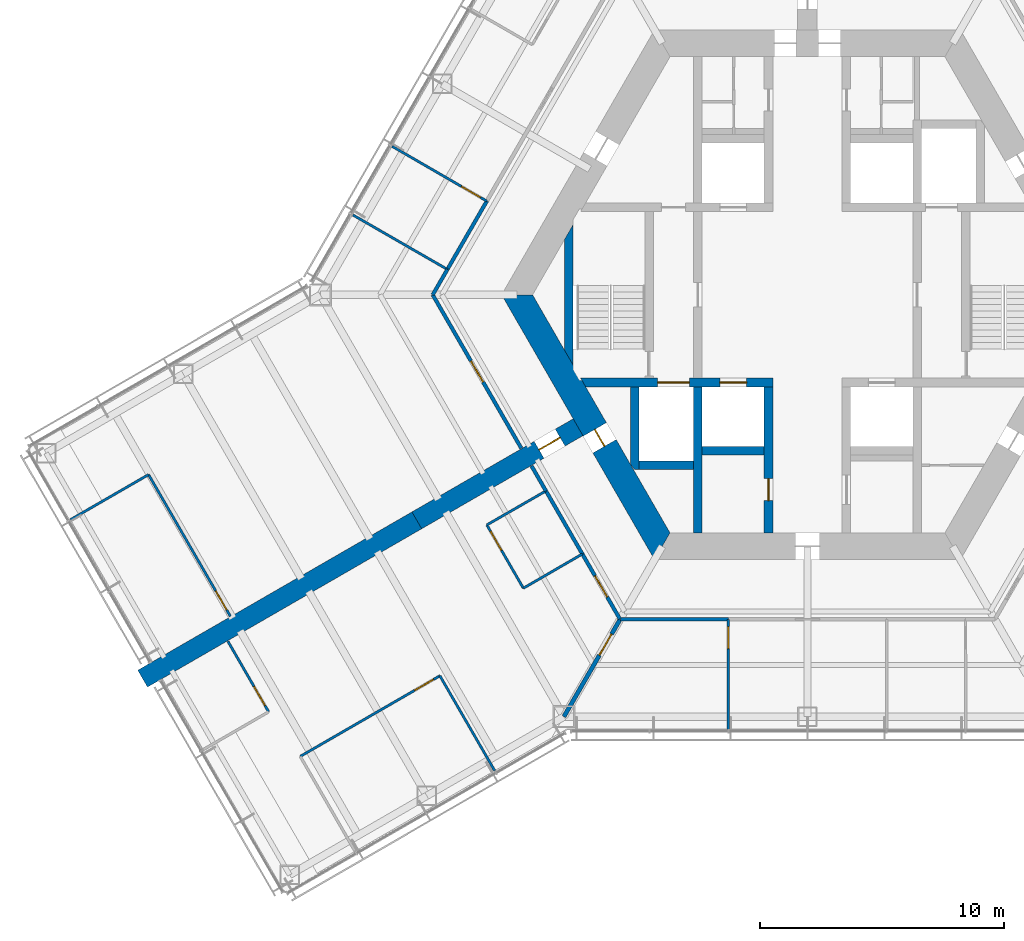
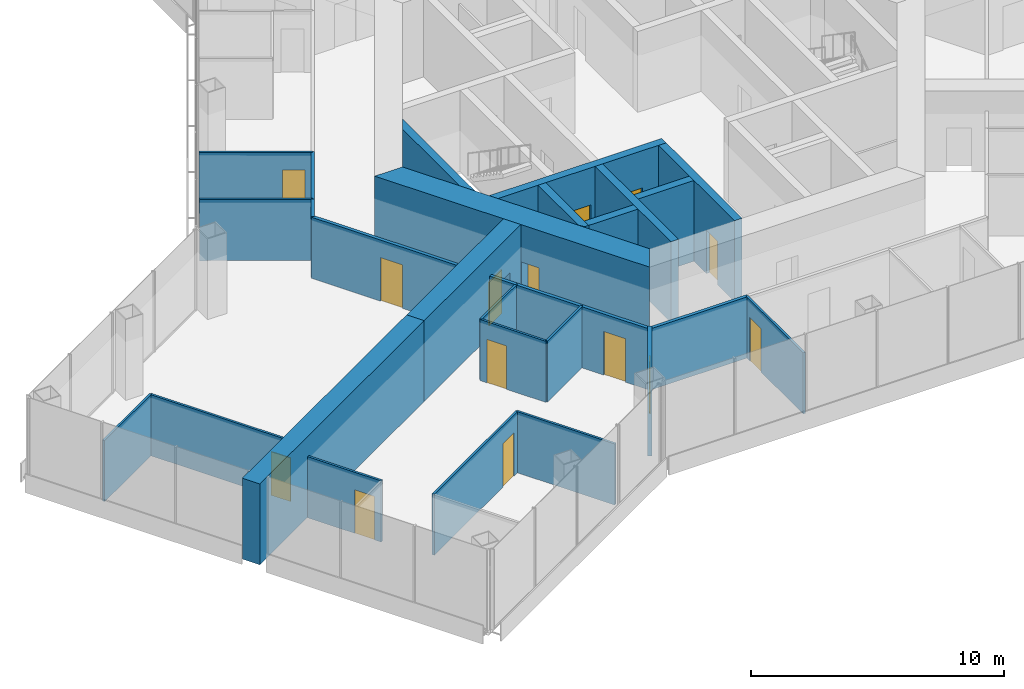
# One storey, part 12 of 19: 29 walls, 14 doors, 14 openings.
"""IFC4 building model written with IfcOpenShell, lengths in metres."""

from ifc_helpers import new_model, si_unit, direction, frame, frame_2d, origin, place, context, subcontext, project, spatial, polyline, rectangle, outline, extrude, material, layer, layer_set, type_object, element, fill, save


model = new_model("IFC4")

# Units and contexts
model_context = context("Model", 3, precision=1e-05, world=origin(), true_north=direction((0.0, 1.0)))
body_context = subcontext(model_context, "Body", "Model", "MODEL_VIEW")
ifc_project = project(units=[si_unit("LENGTHUNIT", "METRE"), si_unit("AREAUNIT", "SQUARE_METRE"), si_unit("VOLUMEUNIT", "CUBIC_METRE"), si_unit("PLANEANGLEUNIT", "RADIAN"), si_unit("MASSUNIT", "GRAM", prefix="KILO")], contexts=[model_context])

# Site, building, storey
site_placement = place(None, origin())
site = spatial("IfcSite", under=ifc_project, at=site_placement, CompositionType="ELEMENT")
building_placement = place(site_placement, origin())
building = spatial("IfcBuilding", under=site, at=building_placement, Name="Kasaneha Research Tower", CompositionType="ELEMENT")
storey_placement = place(building_placement, frame((0.0, 0.0, 84.60009765625)))
storey = spatial("IfcBuildingStorey", under=building, at=storey_placement, Name="L21", CompositionType="ELEMENT", Elevation=84.60009765625)

# Wall, openings, doors
ifc_material_1 = material(Name="Concrete Fc80", Category="concrete")
ifc_layer_1 = layer(ifc_material_1, 0.35009765625)
ifc_layer_set_1 = layer_set([ifc_layer_1], Name="Core internal wall 350 Fc80")
wall_type_1 = type_object("IfcWallType", Name="Core internal wall 350 Fc80", PredefinedType="SHEAR", material=ifc_layer_set_1)
wall_1_placement = place(storey_placement, frame((-9.208740234375, -3.60009765625, 0.0), z_axis=(0.0, 0.0, 1.0), x_axis=(1.0, 0.0, 0.0)))
wall_1 = element("IfcWall", 1, at=wall_1_placement, inside=storey, type_object=wall_type_1, Name="Core wall W2W L21", PredefinedType="SHEAR", context=body_context, shape_type="SweptSolid", body=[
    extrude(outline(polyline([(0.10107421875, -0.175048828125), (3.058837890625, -0.175048828125), (4.35888671875, -0.175048828125), (5.608642578125, -0.175048828125), (6.708740234375, -0.175048828125), (7.78369140625, -0.175048828125), (7.78369140625, 0.175048828125), (6.708740234375, 0.175048828125), (5.608642578125, 0.175048828125), (4.35888671875, 0.175048828125), (3.058837890625, 0.175048828125), (-0.10107421875, 0.175048828125), (0.10107421875, -0.175048828125)])), origin(), (0.0, 0.0, 1.0), 3.89990234375),
])
opening_1_placement = place(wall_1_placement, frame((5.608642578125, 0.0, 0.0)))
opening_1 = element("IfcOpeningElement", 2, at=opening_1_placement, cuts=wall_1, Name="Opening LD-LO2-L21", PredefinedType="OPENING", context=body_context, shape_type="SweptSolid", body=[
    extrude(rectangle(XDim=1.10009765625, YDim=2.10009765625, at=frame_2d((0.550048828125, 1.050048828125))), frame((0.0, 0.18505859375, 0.0), z_axis=(0.0, -1.0, 0.0), x_axis=(1.0, 0.0, 0.0)), (0.0, 0.0, 1.0), 0.3701171875),
])
opening_2_placement = place(wall_1_placement, frame((3.058837890625, 0.0, 0.0)))
opening_2 = element("IfcOpeningElement", 3, at=opening_2_placement, cuts=wall_1, Name="Opening LD-FL2-L21", PredefinedType="OPENING", context=body_context, shape_type="SweptSolid", body=[
    extrude(rectangle(XDim=1.300048828125, YDim=2.10009765625, at=frame_2d((0.64990234375, 1.050048828125))), frame((0.0, 0.18505859375, 0.0), z_axis=(0.0, -1.0, 0.0), x_axis=(1.0, 0.0, 0.0)), (0.0, 0.0, 1.0), 0.3701171875),
])
ifc_material_2 = material(Name="Steel", Category="steel")
door_type_1 = type_object("IfcDoorType", Name="Lift landing door 1100x2100", OperationType="DOUBLE_DOOR_SLIDING", PredefinedType="DOOR", material=ifc_material_2)
door_1_placement = place(opening_1_placement, origin())
door_1 = element("IfcDoor", 4, at=door_1_placement, inside=storey, type_object=door_type_1, Name="Landing door LO2 LD-LO2-L21", OperationType="DOUBLE_DOOR_SLIDING", OverallHeight=2.10009765625, OverallWidth=1.10009765625, PredefinedType="DOOR", context=body_context, shape_type="SweptSolid", body=[
    extrude(rectangle(XDim=1.10009765625, YDim=2.10009765625, at=frame_2d((0.550048828125, 1.050048828125))), frame((0.0, 0.02490234375, 0.0), z_axis=(0.0, -1.0, 0.0), x_axis=(1.0, 0.0, 0.0)), (0.0, 0.0, 1.0), 0.050048828125),
])
fill(opening_1, door_1)
ifc_material_3 = material(Name="Steel", Category="steel")
door_type_2 = type_object("IfcDoorType", Name="Lift landing door 1300x2100", OperationType="DOUBLE_DOOR_SLIDING", PredefinedType="DOOR", material=ifc_material_3)
door_2_placement = place(opening_2_placement, origin())
door_2 = element("IfcDoor", 5, at=door_2_placement, inside=storey, type_object=door_type_2, Name="Landing door FL2 LD-FL2-L21", OperationType="DOUBLE_DOOR_SLIDING", OverallHeight=2.10009765625, OverallWidth=1.300048828125, PredefinedType="DOOR", context=body_context, shape_type="SweptSolid", body=[
    extrude(rectangle(XDim=1.300048828125, YDim=2.10009765625, at=frame_2d((0.64990234375, 1.050048828125))), frame((0.0, 0.02490234375, 0.0), z_axis=(0.0, -1.0, 0.0), x_axis=(1.0, 0.0, 0.0)), (0.0, 0.0, 1.0), 0.050048828125),
])
fill(opening_2, door_2)

# Wall, opening, door
wall_2_placement = place(storey_placement, frame((-1.60009765625, -3.77490234375, 0.0), z_axis=(0.0, 0.0, 1.0), x_axis=(0.0, -1.0, 0.0)))
wall_2 = element("IfcWall", 6, at=wall_2_placement, inside=storey, type_object=wall_type_1, Name="Core wall CSW L21", PredefinedType="SHEAR", context=body_context, shape_type="SweptSolid", body=[
    extrude(rectangle(XDim=6.0, YDim=0.35009765625, at=frame_2d((3.0, 0.0))), origin(), (0.0, 0.0, 1.0), 3.89990234375),
])
opening_3_placement = place(wall_2_placement, frame((3.77490234375, 0.0, 0.0)))
opening_3 = element("IfcOpeningElement", 7, at=opening_3_placement, cuts=wall_2, Name="Opening L21-D16", PredefinedType="OPENING", context=body_context, shape_type="SweptSolid", body=[
    extrude(rectangle(XDim=0.89990234375, YDim=2.10009765625, at=frame_2d((0.449951171875, 1.050048828125))), frame((0.0, 0.18505859375, 0.0), z_axis=(0.0, -1.0, 0.0), x_axis=(1.0, 0.0, 0.0)), (0.0, 0.0, 1.0), 0.3701171875),
])
ifc_material_4 = material(Name="Steel", Category="steel")
door_type_3 = type_object("IfcDoorType", Name="Riser access door FD60 900x2100", OperationType="NOTDEFINED", PredefinedType="DOOR", material=ifc_material_4)
door_3_placement = place(opening_3_placement, origin())
door_3 = element("IfcDoor", 8, at=door_3_placement, inside=storey, type_object=door_type_3, Name="Electrical riser door L21-D16", OperationType="SINGLE_SWING_LEFT", OverallHeight=2.10009765625, OverallWidth=0.89990234375, PredefinedType="DOOR", context=body_context, shape_type="SweptSolid", body=[
    extrude(rectangle(XDim=0.89990234375, YDim=2.10009765625, at=frame_2d((0.449951171875, 1.050048828125))), frame((0.0, 0.02490234375, 0.0), z_axis=(0.0, -1.0, 0.0), x_axis=(1.0, 0.0, 0.0)), (0.0, 0.0, 1.0), 0.050048828125),
])
fill(opening_3, door_3)

# Walls
wall_3_placement = place(storey_placement, frame((-4.5, -3.77490234375, 0.0), z_axis=(0.0, 0.0, 1.0), x_axis=(0.0, -1.0, 0.0)))
element("IfcWall", 9, at=wall_3_placement, inside=storey, type_object=wall_type_1, Name="Core wall SSW L21", PredefinedType="SHEAR", context=body_context, shape_type="SweptSolid", body=[
    extrude(rectangle(XDim=6.0, YDim=0.35009765625, at=frame_2d((3.0, 0.0))), origin(), (0.0, 0.0, 1.0), 3.89990234375),
])
wall_4_placement = place(storey_placement, frame((-4.324951171875, -6.39990234375, 0.0), z_axis=(0.0, 0.0, 1.0), x_axis=(1.0, 0.0, 0.0)))
element("IfcWall", 10, at=wall_4_placement, inside=storey, type_object=wall_type_1, Name="Core wall S1S L21", PredefinedType="SHEAR", context=body_context, shape_type="SweptSolid", body=[
    extrude(rectangle(XDim=2.550048828125, YDim=0.35009765625, at=frame_2d((1.27490234375, 0.0))), origin(), (0.0, 0.0, 1.0), 3.89990234375),
])
wall_5_placement = place(storey_placement, frame((-6.925048828125, -7.0, 0.0), z_axis=(0.0, 0.0, 1.0), x_axis=(1.0, 0.0, 0.0)))
element("IfcWall", 11, at=wall_5_placement, inside=storey, type_object=wall_type_1, Name="Core wall F2S L21", PredefinedType="SHEAR", context=body_context, shape_type="SweptSolid", body=[
    extrude(rectangle(XDim=2.25, YDim=0.35009765625, at=frame_2d((1.125, 0.0))), origin(), (0.0, 0.0, 1.0), 3.89990234375),
])
wall_6_placement = place(storey_placement, frame((-7.10009765625, -3.77490234375, 0.0), z_axis=(0.0, 0.0, 1.0), x_axis=(0.0, -1.0, 0.0)))
element("IfcWall", 12, at=wall_6_placement, inside=storey, type_object=wall_type_1, Name="Core wall F2W L21", PredefinedType="SHEAR", context=body_context, shape_type="SweptSolid", body=[
    extrude(outline(polyline([(0.0, -0.175048828125), (3.174560546875, -0.175048828125), (3.400146484375, 0.0), (3.400146484375, 0.175048828125), (0.0, 0.175048828125), (0.0, -0.175048828125)])), origin(), (0.0, 0.0, 1.0), 3.89990234375),
])
wall_7_placement = place(storey_placement, frame((-9.807861328125, -2.562255859375, 0.0), z_axis=(0.0, 0.0, 1.0), x_axis=(0.0, 1.0, 0.0)))
element("IfcWall", 13, at=wall_7_placement, inside=storey, type_object=wall_type_1, Name="Core wall STW L21", PredefinedType="SHEAR", context=body_context, shape_type="SweptSolid", body=[
    extrude(outline(polyline([(-0.30322265625, -0.175048828125), (5.427734375, -0.175048828125), (4.8212890625, 0.175048828125), (0.30322265625, 0.175048828125), (-0.30322265625, -0.175048828125)])), origin(), (0.0, 0.0, 1.0), 3.89990234375),
])

# Wall, opening, door
ifc_material_5 = material(Name="Concrete Fc80", Category="concrete")
ifc_layer_2 = layer(ifc_material_5, 1.10009765625)
ifc_layer_set_2 = layer_set([ifc_layer_2], Name="Core wall 1100 Fc80")
wall_type_2 = type_object("IfcWallType", Name="Core wall 1100 Fc80", PredefinedType="SHEAR", material=ifc_layer_set_2)
wall_8_placement = place(storey_placement, frame((-11.92236328125, 0.0, 0.0), z_axis=(0.0, 0.0, 1.0), x_axis=(0.500004296715, -0.866022923061, 0.0)))
wall_8 = element("IfcWall", 14, at=wall_8_placement, inside=storey, type_object=wall_type_2, Name="Core wall 210 L21", PredefinedType="SHEAR", context=body_context, shape_type="SweptSolid", body=[
    extrude(outline(polyline([(-0.317626953125, -0.550048828125), (6.381103515625, -0.550048828125), (7.18115234375, -0.550048828125), (12.239990234375, -0.550048828125), (11.604736328125, 0.550048828125), (7.18115234375, 0.550048828125), (6.381103515625, 0.550048828125), (0.317626953125, 0.550048828125), (-0.317626953125, -0.550048828125)])), origin(), (0.0, 0.0, 1.0), 3.89990234375),
])
opening_4_placement = place(wall_8_placement, frame((6.381103515625, 0.0, 0.0)))
opening_4 = element("IfcOpeningElement", 15, at=opening_4_placement, cuts=wall_8, Name="Opening L21-D06", PredefinedType="OPENING", context=body_context, shape_type="SweptSolid", body=[
    extrude(rectangle(XDim=0.800048828125, YDim=2.10009765625, at=frame_2d((0.39990234375, 1.050048828125))), frame((0.0, 0.56005859375, 0.0), z_axis=(0.0, -1.0, 0.0), x_axis=(1.0, 0.0, 0.0)), (0.0, 0.0, 1.0), 1.1201171875),
])
ifc_material_6 = material(Name="Steel", Category="steel")
door_type_4 = type_object("IfcDoorType", Name="Riser access door FD60 800x2100", OperationType="NOTDEFINED", PredefinedType="DOOR", material=ifc_material_6)
door_4_placement = place(opening_4_placement, origin())
door_4 = element("IfcDoor", 16, at=door_4_placement, inside=storey, type_object=door_type_4, Name="Duct riser door L21-D06", OperationType="SINGLE_SWING_RIGHT", OverallHeight=2.10009765625, OverallWidth=0.800048828125, PredefinedType="DOOR", context=body_context, shape_type="SweptSolid", body=[
    extrude(rectangle(XDim=0.800048828125, YDim=2.10009765625, at=frame_2d((0.39990234375, 1.050048828125))), frame((0.0, 0.02490234375, 0.0), z_axis=(0.0, -1.0, 0.0), x_axis=(1.0, 0.0, 0.0)), (0.0, 0.0, 1.0), 0.050048828125),
])
fill(opening_4, door_4)

# Wall
ifc_material_7 = material(Name="Gypsum board on steel studs, one layer each side", Category="steel")
ifc_layer_3 = layer(ifc_material_7, 0.10009765625)
ifc_layer_set_3 = layer_set([ifc_layer_3], Name="Office partition 100")
wall_type_3 = type_object("IfcWallType", Name="Office partition 100", PredefinedType="PARTITIONING", material=ifc_layer_set_3)
wall_9_placement = place(storey_placement, frame((-30.258056640625, -9.232666015625, 0.0), z_axis=(0.0, 0.0, 1.0), x_axis=(0.86601746898, 0.500013743233, 0.0)))
element("IfcWall", 17, at=wall_9_placement, inside=storey, type_object=wall_type_3, Name="Office partition FBN09 L21", PredefinedType="PARTITIONING", context=body_context, shape_type="SweptSolid", body=[
    extrude(rectangle(XDim=3.7001953125, YDim=0.10009765625, at=frame_2d((1.85009765625, 0.0))), origin(), (0.0, 0.0, 1.0), 2.949951171875),
])

# Wall, opening, door
wall_10_placement = place(storey_placement, frame((-27.0537109375, -7.382568359375, 0.0), z_axis=(0.0, 0.0, 1.0), x_axis=(0.499999473313, -0.866025707867, 0.0)))
wall_10 = element("IfcWall", 18, at=wall_10_placement, inside=storey, type_object=wall_type_3, Name="Office partition FBN10 L21", PredefinedType="PARTITIONING", context=body_context, shape_type="SweptSolid", body=[
    extrude(rectangle(XDim=6.71337890625, YDim=0.10009765625, at=frame_2d((3.356689453125, 0.0))), origin(), (0.0, 0.0, 1.0), 2.949951171875),
])
opening_5_placement = place(wall_10_placement, frame((5.513427734375, 0.0, 0.0)))
opening_5 = element("IfcOpeningElement", 19, at=opening_5_placement, cuts=wall_10, Name="Opening L21-D42", PredefinedType="OPENING", context=body_context, shape_type="SweptSolid", body=[
    extrude(rectangle(XDim=0.89990234375, YDim=2.10009765625, at=frame_2d((0.449951171875, 1.050048828125))), frame((0.0, 0.06005859375, 0.0), z_axis=(0.0, -1.0, 0.0), x_axis=(1.0, 0.0, 0.0)), (0.0, 0.0, 1.0), 0.1201171875),
])
ifc_material_8 = material(Name="Timber veneer", Category="wood")
door_type_5 = type_object("IfcDoorType", Name="Office door 900x2100", OperationType="SINGLE_SWING_LEFT", PredefinedType="DOOR", material=ifc_material_8)
door_5_placement = place(opening_5_placement, origin())
door_5 = element("IfcDoor", 20, at=door_5_placement, inside=storey, type_object=door_type_5, Name="Meeting room door L21-D42", OperationType="SINGLE_SWING_RIGHT", OverallHeight=2.10009765625, OverallWidth=0.89990234375, PredefinedType="DOOR", context=body_context, shape_type="SweptSolid", body=[
    extrude(rectangle(XDim=0.89990234375, YDim=2.10009765625, at=frame_2d((0.449951171875, 1.050048828125))), frame((0.0, 0.02490234375, 0.0), z_axis=(0.0, -1.0, 0.0), x_axis=(1.0, 0.0, 0.0)), (0.0, 0.0, 1.0), 0.050048828125),
])
fill(opening_5, door_5)

# Wall
wall_11_placement = place(storey_placement, frame((-14.783935546875, 1.04345703125, 0.0), z_axis=(0.0, 0.0, 1.0), x_axis=(-0.866525943689, 0.499132035552, 0.0)))
element("IfcWall", 21, at=wall_11_placement, inside=storey, type_object=wall_type_3, Name="Office partition FBN11 L21", PredefinedType="PARTITIONING", context=body_context, shape_type="SweptSolid", body=[
    extrude(rectangle(XDim=4.4755859375, YDim=0.10009765625, at=frame_2d((2.23779296875, 0.0))), origin(), (0.0, 0.0, 1.0), 2.949951171875),
])

# Wall, opening, door
wall_12_placement = place(storey_placement, frame((-17.05615234375, 6.098876953125, 0.0), z_axis=(0.0, 0.0, 1.0), x_axis=(0.865513030745, -0.500886407891, 0.0)))
wall_12 = element("IfcWall", 22, at=wall_12_placement, inside=storey, type_object=wall_type_3, Name="Office partition FBN12 L21", PredefinedType="PARTITIONING", context=body_context, shape_type="SweptSolid", body=[
    extrude(rectangle(XDim=4.495361328125, YDim=0.10009765625, at=frame_2d((2.24755859375, 0.0))), origin(), (0.0, 0.0, 1.0), 2.949951171875),
])
opening_6_placement = place(wall_12_placement, frame((3.295654296875, 0.0, 0.0)))
opening_6 = element("IfcOpeningElement", 23, at=opening_6_placement, cuts=wall_12, Name="Opening L21-D43", PredefinedType="OPENING", context=body_context, shape_type="SweptSolid", body=[
    extrude(rectangle(XDim=0.89990234375, YDim=2.10009765625, at=frame_2d((0.449951171875, 1.050048828125))), frame((0.0, 0.06005859375, 0.0), z_axis=(0.0, -1.0, 0.0), x_axis=(1.0, 0.0, 0.0)), (0.0, 0.0, 1.0), 0.1201171875),
])
door_6_placement = place(opening_6_placement, origin())
door_6 = element("IfcDoor", 24, at=door_6_placement, inside=storey, type_object=door_type_5, Name="Project room door L21-D43", OperationType="SINGLE_SWING_RIGHT", OverallHeight=2.10009765625, OverallWidth=0.89990234375, PredefinedType="DOOR", context=body_context, shape_type="SweptSolid", body=[
    extrude(rectangle(XDim=0.89990234375, YDim=2.10009765625, at=frame_2d((0.449951171875, 1.050048828125))), frame((0.0, 0.02490234375, 0.0), z_axis=(0.0, -1.0, 0.0), x_axis=(1.0, 0.0, 0.0)), (0.0, 0.0, 1.0), 0.050048828125),
])
fill(opening_6, door_6)

wall_13_placement = place(storey_placement, frame((-20.824951171875, -18.951416015625, 0.0), z_axis=(0.0, 0.0, 1.0), x_axis=(0.866021597574, 0.500006592492, 0.0)))
wall_13 = element("IfcWall", 25, at=wall_13_placement, inside=storey, type_object=wall_type_3, Name="Office partition FBS04 L21", PredefinedType="PARTITIONING", context=body_context, shape_type="SweptSolid", body=[
    extrude(rectangle(XDim=6.61962890625, YDim=0.10009765625, at=frame_2d((3.309814453125, 0.0))), origin(), (0.0, 0.0, 1.0), 2.949951171875),
])
opening_7_placement = place(wall_13_placement, frame((5.419677734375, 0.0, 0.0)))
opening_7 = element("IfcOpeningElement", 26, at=opening_7_placement, cuts=wall_13, Name="Opening L21-D46", PredefinedType="OPENING", context=body_context, shape_type="SweptSolid", body=[
    extrude(rectangle(XDim=0.89990234375, YDim=2.10009765625, at=frame_2d((0.449951171875, 1.050048828125))), frame((0.0, 0.06005859375, 0.0), z_axis=(0.0, -1.0, 0.0), x_axis=(1.0, 0.0, 0.0)), (0.0, 0.0, 1.0), 0.1201171875),
])
door_7_placement = place(opening_7_placement, origin())
door_7 = element("IfcDoor", 27, at=door_7_placement, inside=storey, type_object=door_type_5, Name="Project room door L21-D46", OperationType="SINGLE_SWING_RIGHT", OverallHeight=2.10009765625, OverallWidth=0.89990234375, PredefinedType="DOOR", context=body_context, shape_type="SweptSolid", body=[
    extrude(rectangle(XDim=0.89990234375, YDim=2.10009765625, at=frame_2d((0.449951171875, 1.050048828125))), frame((0.0, 0.02490234375, 0.0), z_axis=(0.0, -1.0, 0.0), x_axis=(1.0, 0.0, 0.0)), (0.0, 0.0, 1.0), 0.050048828125),
])
fill(opening_7, door_7)

# Walls
wall_14_placement = place(storey_placement, frame((-15.09228515625, -15.6416015625, 0.0), z_axis=(0.0, 0.0, 1.0), x_axis=(0.499990139034, -0.866031096941, 0.0)))
element("IfcWall", 28, at=wall_14_placement, inside=storey, type_object=wall_type_3, Name="Office partition FBS06 L21", PredefinedType="PARTITIONING", context=body_context, shape_type="SweptSolid", body=[
    extrude(rectangle(XDim=4.5, YDim=0.10009765625, at=frame_2d((2.25, 0.0))), origin(), (0.0, 0.0, 1.0), 2.949951171875),
])
wall_15_placement = place(storey_placement, frame((-13.164794921875, -9.447998046875, 0.0), z_axis=(0.0, 0.0, 1.0), x_axis=(0.866855433567, 0.498559582492, 0.0)))
element("IfcWall", 29, at=wall_15_placement, inside=storey, type_object=wall_type_3, Name="Office partition FBS07 L21", PredefinedType="PARTITIONING", context=body_context, shape_type="SweptSolid", body=[
    extrude(rectangle(XDim=2.800048828125, YDim=0.10009765625, at=frame_2d((1.39990234375, 0.0))), origin(), (0.0, 0.0, 1.0), 2.949951171875),
])

# Wall, opening, door
wall_16_placement = place(storey_placement, frame((-11.664794921875, -12.046142578125, 0.0), z_axis=(0.0, 0.0, 1.0), x_axis=(-0.499990139034, 0.866031096941, 0.0)))
wall_16 = element("IfcWall", 30, at=wall_16_placement, inside=storey, type_object=wall_type_3, Name="Office partition FBS08 L21", PredefinedType="PARTITIONING", context=body_context, shape_type="SweptSolid", body=[
    extrude(rectangle(XDim=3.0, YDim=0.10009765625, at=frame_2d((1.5, 0.0))), origin(), (0.0, 0.0, 1.0), 2.949951171875),
])
opening_8_placement = place(wall_16_placement, frame((1.800048828125, 0.0, 0.0)))
opening_8 = element("IfcOpeningElement", 31, at=opening_8_placement, cuts=wall_16, Name="Opening L21-D47", PredefinedType="OPENING", context=body_context, shape_type="SweptSolid", body=[
    extrude(rectangle(XDim=0.89990234375, YDim=2.10009765625, at=frame_2d((0.449951171875, 1.050048828125))), frame((0.0, 0.06005859375, 0.0), z_axis=(0.0, -1.0, 0.0), x_axis=(1.0, 0.0, 0.0)), (0.0, 0.0, 1.0), 0.1201171875),
])
door_8_placement = place(opening_8_placement, origin())
door_8 = element("IfcDoor", 32, at=door_8_placement, inside=storey, type_object=door_type_5, Name="Pantry door L21-D47", OperationType="SINGLE_SWING_RIGHT", OverallHeight=2.10009765625, OverallWidth=0.89990234375, PredefinedType="DOOR", context=body_context, shape_type="SweptSolid", body=[
    extrude(rectangle(XDim=0.89990234375, YDim=2.10009765625, at=frame_2d((0.449951171875, 1.050048828125))), frame((0.0, 0.02490234375, 0.0), z_axis=(0.0, -1.0, 0.0), x_axis=(1.0, 0.0, 0.0)), (0.0, 0.0, 1.0), 0.050048828125),
])
fill(opening_8, door_8)

# Wall
wall_17_placement = place(storey_placement, frame((-9.241943359375, -10.642333984375, 0.0), z_axis=(0.0, 0.0, 1.0), x_axis=(-0.865255114713, -0.501331812737, 0.0)))
element("IfcWall", 33, at=wall_17_placement, inside=storey, type_object=wall_type_3, Name="Office partition FBS09 L21", PredefinedType="PARTITIONING", context=body_context, shape_type="SweptSolid", body=[
    extrude(rectangle(XDim=2.800048828125, YDim=0.10009765625, at=frame_2d((1.39990234375, 0.0))), origin(), (0.0, 0.0, 1.0), 2.949951171875),
])

# Wall, opening, door
wall_18_placement = place(storey_placement, frame((-23.796630859375, -14.22412109375, 0.0), z_axis=(0.0, 0.0, 1.0), x_axis=(0.500015043844, -0.866016718043, 0.0)))
wall_18 = element("IfcWall", 34, at=wall_18_placement, inside=storey, type_object=wall_type_3, Name="Office partition FBS10 L21", PredefinedType="PARTITIONING", context=body_context, shape_type="SweptSolid", body=[
    extrude(rectangle(XDim=3.3466796875, YDim=0.10009765625, at=frame_2d((1.67333984375, 0.0))), origin(), (0.0, 0.0, 1.0), 2.949951171875),
])
opening_9_placement = place(wall_18_placement, frame((2.146728515625, 0.0, 0.0)))
opening_9 = element("IfcOpeningElement", 35, at=opening_9_placement, cuts=wall_18, Name="Opening L21-D48", PredefinedType="OPENING", context=body_context, shape_type="SweptSolid", body=[
    extrude(rectangle(XDim=0.89990234375, YDim=2.10009765625, at=frame_2d((0.449951171875, 1.050048828125))), frame((0.0, 0.06005859375, 0.0), z_axis=(0.0, -1.0, 0.0), x_axis=(1.0, 0.0, 0.0)), (0.0, 0.0, 1.0), 0.1201171875),
])
door_9_placement = place(opening_9_placement, origin())
door_9 = element("IfcDoor", 36, at=door_9_placement, inside=storey, type_object=door_type_5, Name="Phone room door L21-D48", OperationType="SINGLE_SWING_RIGHT", OverallHeight=2.10009765625, OverallWidth=0.89990234375, PredefinedType="DOOR", context=body_context, shape_type="SweptSolid", body=[
    extrude(rectangle(XDim=0.89990234375, YDim=2.10009765625, at=frame_2d((0.449951171875, 1.050048828125))), frame((0.0, 0.02490234375, 0.0), z_axis=(0.0, -1.0, 0.0), x_axis=(1.0, 0.0, 0.0)), (0.0, 0.0, 1.0), 0.050048828125),
])
fill(opening_9, door_9)

wall_19_placement = place(storey_placement, frame((-3.2509765625, -13.324951171875, 0.0), z_axis=(0.0, 0.0, 1.0), x_axis=(0.001026139015, -0.999999473519, 0.0)))
wall_19 = element("IfcWall", 37, at=wall_19_placement, inside=storey, type_object=wall_type_3, Name="Office partition FCS11 L21", PredefinedType="PARTITIONING", context=body_context, shape_type="SweptSolid", body=[
    extrude(rectangle(XDim=4.5205078125, YDim=0.10009765625, at=frame_2d((2.26025390625, 0.0))), origin(), (0.0, 0.0, 1.0), 2.949951171875),
])
opening_10_placement = place(wall_19_placement, frame((0.300048828125, 0.0, 0.0)))
opening_10 = element("IfcOpeningElement", 38, at=opening_10_placement, cuts=wall_19, Name="Opening L21-D54", PredefinedType="OPENING", context=body_context, shape_type="SweptSolid", body=[
    extrude(rectangle(XDim=0.89990234375, YDim=2.10009765625, at=frame_2d((0.449951171875, 1.050048828125))), frame((0.0, 0.06005859375, 0.0), z_axis=(0.0, -1.0, 0.0), x_axis=(1.0, 0.0, 0.0)), (0.0, 0.0, 1.0), 0.1201171875),
])
door_10_placement = place(opening_10_placement, origin())
door_10 = element("IfcDoor", 39, at=door_10_placement, inside=storey, type_object=door_type_5, Name="Manager's office door L21-D54", OperationType="SINGLE_SWING_LEFT", OverallHeight=2.10009765625, OverallWidth=0.89990234375, PredefinedType="DOOR", context=body_context, shape_type="SweptSolid", body=[
    extrude(rectangle(XDim=0.89990234375, YDim=2.10009765625, at=frame_2d((0.449951171875, 1.050048828125))), frame((0.0, 0.02490234375, 0.0), z_axis=(0.0, -1.0, 0.0), x_axis=(1.0, 0.0, 0.0)), (0.0, 0.0, 1.0), 0.050048828125),
])
fill(opening_10, door_10)

ifc_material_9 = material(Name="Concrete Fc80", Category="concrete")
ifc_layer_4 = layer(ifc_material_9, 0.800048828125)
ifc_layer_set_4 = layer_set([ifc_layer_4], Name="Spine wall 800 Fc80")
wall_type_4 = type_object("IfcWallType", Name="Spine wall 800 Fc80", PredefinedType="SHEAR", material=ifc_layer_set_4)
wall_20_placement = place(storey_placement, frame((-9.41796875, -5.4375, 0.0), z_axis=(0.0, 0.0, 1.0), x_axis=(-0.866029782078, -0.499992416496, 0.0)))
wall_20 = element("IfcWall", 40, at=wall_20_placement, inside=storey, type_object=wall_type_4, Name="Spine wall B L21", PredefinedType="SHEAR", context=body_context, shape_type="SweptSolid", body=[
    extrude(rectangle(XDim=7.6455078125, YDim=0.800048828125, at=frame_2d((3.82275390625, 0.0))), origin(), (0.0, 0.0, 1.0), 3.89990234375),
])
opening_11_placement = place(wall_20_placement, frame((0.85009765625, 0.0, 0.0)))
opening_11 = element("IfcOpeningElement", 41, at=opening_11_placement, cuts=wall_20, Name="Opening L21-D18", PredefinedType="OPENING", context=body_context, shape_type="SweptSolid", body=[
    extrude(rectangle(XDim=1.0, YDim=2.10009765625, at=frame_2d((0.5, 1.050048828125))), frame((0.0, 0.41015625, 0.0), z_axis=(0.0, -1.0, 0.0), x_axis=(1.0, 0.0, 0.0)), (0.0, 0.0, 1.0), 0.820068359375),
])
ifc_material_10 = material(Name="Steel", Category="steel")
door_type_6 = type_object("IfcDoorType", Name="Specified fire door FD60 1000x2100", OperationType="NOTDEFINED", PredefinedType="DOOR", material=ifc_material_10)
door_11_placement = place(opening_11_placement, origin())
door_11 = element("IfcDoor", 42, at=door_11_placement, inside=storey, type_object=door_type_6, Name="Spine doorway B L21-D18", OperationType="SINGLE_SWING_LEFT", OverallHeight=2.10009765625, OverallWidth=1.0, PredefinedType="DOOR", context=body_context, shape_type="SweptSolid", body=[
    extrude(rectangle(XDim=1.0, YDim=2.10009765625, at=frame_2d((0.5, 1.050048828125))), frame((0.0, 0.02490234375, 0.0), z_axis=(0.0, -1.0, 0.0), x_axis=(1.0, 0.0, 0.0)), (0.0, 0.0, 1.0), 0.050048828125),
])
fill(opening_11, door_11)

# Walls
wall_21_placement = place(storey_placement, frame((-16.039306640625, -9.26025390625, 0.0), z_axis=(0.0, 0.0, 1.0), x_axis=(-0.866024837091, -0.50000098154, 0.0)))
element("IfcWall", 43, at=wall_21_placement, inside=storey, type_object=wall_type_4, Name="Spine wall B wing L21", PredefinedType="SHEAR", context=body_context, shape_type="SweptSolid", body=[
    extrude(rectangle(XDim=13.0, YDim=0.800048828125, at=frame_2d((6.5, 0.0))), origin(), (0.0, 0.0, 1.0), 3.89990234375),
])
ifc_material_11 = material(Name="Gypsum board on steel studs, two layers each side", Category="steel")
ifc_layer_5 = layer(ifc_material_11, 0.14990234375)
ifc_layer_set_5 = layer_set([ifc_layer_5], Name="Suite partition 150")
wall_type_5 = type_object("IfcWallType", Name="Suite partition 150", PredefinedType="PARTITIONING", material=ifc_layer_set_5)
wall_22_placement = place(storey_placement, frame((-14.788818359375, 1.03515625, 0.0), z_axis=(0.0, 0.0, 1.0), x_axis=(0.500025283505, 0.866010805854, 0.0)))
element("IfcWall", 44, at=wall_22_placement, inside=storey, type_object=wall_type_5, Name="Suite partition FBN01 L21", PredefinedType="PARTITIONING", context=body_context, shape_type="SweptSolid", body=[
    extrude(rectangle(XDim=3.256591796875, YDim=0.14990234375, at=frame_2d((1.62841796875, 0.0))), origin(), (0.0, 0.0, 1.0), 2.949951171875),
])
wall_23_placement = place(storey_placement, frame((-15.386474609375, 0.0, 0.0), z_axis=(0.0, 0.0, 1.0), x_axis=(0.500061536317, 0.86598987286, 0.0)))
element("IfcWall", 45, at=wall_23_placement, inside=storey, type_object=wall_type_5, Name="Suite partition FBN03 L21", PredefinedType="PARTITIONING", context=body_context, shape_type="SweptSolid", body=[
    extrude(rectangle(XDim=1.204833984375, YDim=0.14990234375, at=frame_2d((0.6025390625, 0.0))), origin(), (0.0, 0.0, 1.0), 2.949951171875),
])

# Wall, opening, door
wall_24_placement = place(storey_placement, frame((-11.749755859375, -6.298828125, 0.0), z_axis=(0.0, 0.0, 1.0), x_axis=(-0.500009139881, 0.866020126807, 0.0)))
wall_24 = element("IfcWall", 46, at=wall_24_placement, inside=storey, type_object=wall_type_5, Name="Suite partition FBN04 L21", PredefinedType="PARTITIONING", context=body_context, shape_type="SweptSolid", body=[
    extrude(rectangle(XDim=7.273193359375, YDim=0.14990234375, at=frame_2d((3.63671875, 0.0))), origin(), (0.0, 0.0, 1.0), 2.949951171875),
])
opening_12_placement = place(wall_24_placement, frame((3.13671875, 0.0, 0.0)))
opening_12 = element("IfcOpeningElement", 47, at=opening_12_placement, cuts=wall_24, Name="Opening L21-D39", PredefinedType="OPENING", context=body_context, shape_type="SweptSolid", body=[
    extrude(rectangle(XDim=1.0, YDim=2.10009765625, at=frame_2d((0.5, 1.050048828125))), frame((0.0, 0.0849609375, 0.0), z_axis=(0.0, -1.0, 0.0), x_axis=(1.0, 0.0, 0.0)), (0.0, 0.0, 1.0), 0.169921875),
])
ifc_material_12 = material(Name="Steel", Category="steel")
door_type_7 = type_object("IfcDoorType", Name="Suite entrance door FD60 1000x2100", OperationType="NOTDEFINED", PredefinedType="DOOR", material=ifc_material_12)
door_12_placement = place(opening_12_placement, origin())
door_12 = element("IfcDoor", 48, at=door_12_placement, inside=storey, type_object=door_type_7, Name="Suite entrance door L21-D39", OperationType="SINGLE_SWING_RIGHT", OverallHeight=2.10009765625, OverallWidth=1.0, PredefinedType="DOOR", context=body_context, shape_type="SweptSolid", body=[
    extrude(rectangle(XDim=1.0, YDim=2.10009765625, at=frame_2d((0.5, 1.050048828125))), frame((0.0, 0.02490234375, 0.0), z_axis=(0.0, -1.0, 0.0), x_axis=(1.0, 0.0, 0.0)), (0.0, 0.0, 1.0), 0.050048828125),
])
fill(opening_12, door_12)

# Walls
wall_25_placement = place(storey_placement, frame((-9.2373046875, -10.650390625, 0.0), z_axis=(0.0, 0.0, 1.0), x_axis=(-0.499977562641, 0.866038357612, 0.0)))
element("IfcWall", 49, at=wall_25_placement, inside=storey, type_object=wall_type_5, Name="Suite partition FBS01 L21", PredefinedType="PARTITIONING", context=body_context, shape_type="SweptSolid", body=[
    extrude(rectangle(XDim=3.010009765625, YDim=0.14990234375, at=frame_2d((1.5048828125, 0.0))), origin(), (0.0, 0.0, 1.0), 2.949951171875),
])
wall_26_placement = place(storey_placement, frame((-10.737548828125, -8.052001953125, 0.0), z_axis=(0.0, 0.0, 1.0), x_axis=(-0.499996007168, 0.866027709035, 0.0)))
element("IfcWall", 50, at=wall_26_placement, inside=storey, type_object=wall_type_5, Name="Suite partition FBS02 L21", PredefinedType="PARTITIONING", context=body_context, shape_type="SweptSolid", body=[
    extrude(rectangle(XDim=1.1845703125, YDim=0.14990234375, at=frame_2d((0.59228515625, 0.0))), origin(), (0.0, 0.0, 1.0), 2.949951171875),
])

# Wall, opening, door
wall_27_placement = place(storey_placement, frame((-7.70458984375, -13.304931640625, 0.0), z_axis=(0.0, 0.0, 1.0), x_axis=(-0.500024891708, 0.866011032073, 0.0)))
wall_27 = element("IfcWall", 51, at=wall_27_placement, inside=storey, type_object=wall_type_5, Name="Suite partition FBS03 L21", PredefinedType="PARTITIONING", context=body_context, shape_type="SweptSolid", body=[
    extrude(rectangle(XDim=3.074462890625, YDim=0.14990234375, at=frame_2d((1.537109375, 0.0))), origin(), (0.0, 0.0, 1.0), 2.949951171875),
])
opening_13_placement = place(wall_27_placement, frame((1.037353515625, 0.0, 0.0)))
opening_13 = element("IfcOpeningElement", 52, at=opening_13_placement, cuts=wall_27, Name="Opening L21-D45", PredefinedType="OPENING", context=body_context, shape_type="SweptSolid", body=[
    extrude(rectangle(XDim=1.0, YDim=2.10009765625, at=frame_2d((0.5, 1.050048828125))), frame((0.0, 0.0849609375, 0.0), z_axis=(0.0, -1.0, 0.0), x_axis=(1.0, 0.0, 0.0)), (0.0, 0.0, 1.0), 0.169921875),
])
door_13_placement = place(opening_13_placement, origin())
door_13 = element("IfcDoor", 53, at=door_13_placement, inside=storey, type_object=door_type_7, Name="Suite entrance door L21-D45", OperationType="SINGLE_SWING_RIGHT", OverallHeight=2.10009765625, OverallWidth=1.0, PredefinedType="DOOR", context=body_context, shape_type="SweptSolid", body=[
    extrude(rectangle(XDim=1.0, YDim=2.10009765625, at=frame_2d((0.5, 1.050048828125))), frame((0.0, 0.02490234375, 0.0), z_axis=(0.0, -1.0, 0.0), x_axis=(1.0, 0.0, 0.0)), (0.0, 0.0, 1.0), 0.050048828125),
])
fill(opening_13, door_13)

# Wall
wall_28_placement = place(storey_placement, frame((-3.241455078125, -13.324951171875, 0.0), z_axis=(0.0, 0.0, 1.0), x_axis=(-1.0, 0.0, 0.0)))
element("IfcWall", 54, at=wall_28_placement, inside=storey, type_object=wall_type_5, Name="Suite partition FCS02 L21", PredefinedType="PARTITIONING", context=body_context, shape_type="SweptSolid", body=[
    extrude(rectangle(XDim=4.4287109375, YDim=0.14990234375, at=frame_2d((2.21435546875, 0.0))), origin(), (0.0, 0.0, 1.0), 2.949951171875),
])

# Wall, opening, door
ifc_material_13 = material(Name="Gypsum board on steel studs, two layers each side", Category="steel")
ifc_layer_6 = layer(ifc_material_13, 0.175048828125)
ifc_layer_set_6 = layer_set([ifc_layer_6], Name="Tenancy fire partition 175")
wall_type_6 = type_object("IfcWallType", Name="Tenancy fire partition 175", PredefinedType="PARTITIONING", material=ifc_layer_set_6)
wall_29_placement = place(storey_placement, frame((-7.693115234375, -13.324951171875, 0.0), z_axis=(0.0, 0.0, 1.0), x_axis=(-0.500003393015, -0.866023444818, 0.0)))
wall_29 = element("IfcWall", 55, at=wall_29_placement, inside=storey, type_object=wall_type_6, Name="Tenancy fire partition T240 L21", PredefinedType="PARTITIONING", context=body_context, shape_type="SweptSolid", body=[
    extrude(rectangle(XDim=4.61376953125, YDim=0.175048828125, at=frame_2d((2.306884765625, 0.0))), origin(), (0.0, 0.0, 1.0), 3.0498046875),
])
opening_14_placement = place(wall_29_placement, frame((0.699951171875, 0.0, 0.0)))
opening_14 = element("IfcOpeningElement", 56, at=opening_14_placement, cuts=wall_29, Name="Opening L21-D27", PredefinedType="OPENING", context=body_context, shape_type="SweptSolid", body=[
    extrude(rectangle(XDim=1.0, YDim=2.10009765625, at=frame_2d((0.5, 1.050048828125))), frame((0.0, 0.09765625, 0.0), z_axis=(0.0, -1.0, 0.0), x_axis=(1.0, 0.0, 0.0)), (0.0, 0.0, 1.0), 0.195068359375),
])
door_14_placement = place(opening_14_placement, origin())
door_14 = element("IfcDoor", 57, at=door_14_placement, inside=storey, type_object=door_type_7, Name="Connecting door L21-D27", OperationType="SINGLE_SWING_LEFT", OverallHeight=2.10009765625, OverallWidth=1.0, PredefinedType="DOOR", context=body_context, shape_type="SweptSolid", body=[
    extrude(rectangle(XDim=1.0, YDim=2.10009765625, at=frame_2d((0.5, 1.050048828125))), frame((0.0, 0.02490234375, 0.0), z_axis=(0.0, -1.0, 0.0), x_axis=(1.0, 0.0, 0.0)), (0.0, 0.0, 1.0), 0.050048828125),
])
fill(opening_14, door_14)

save(model, "model.ifc")
